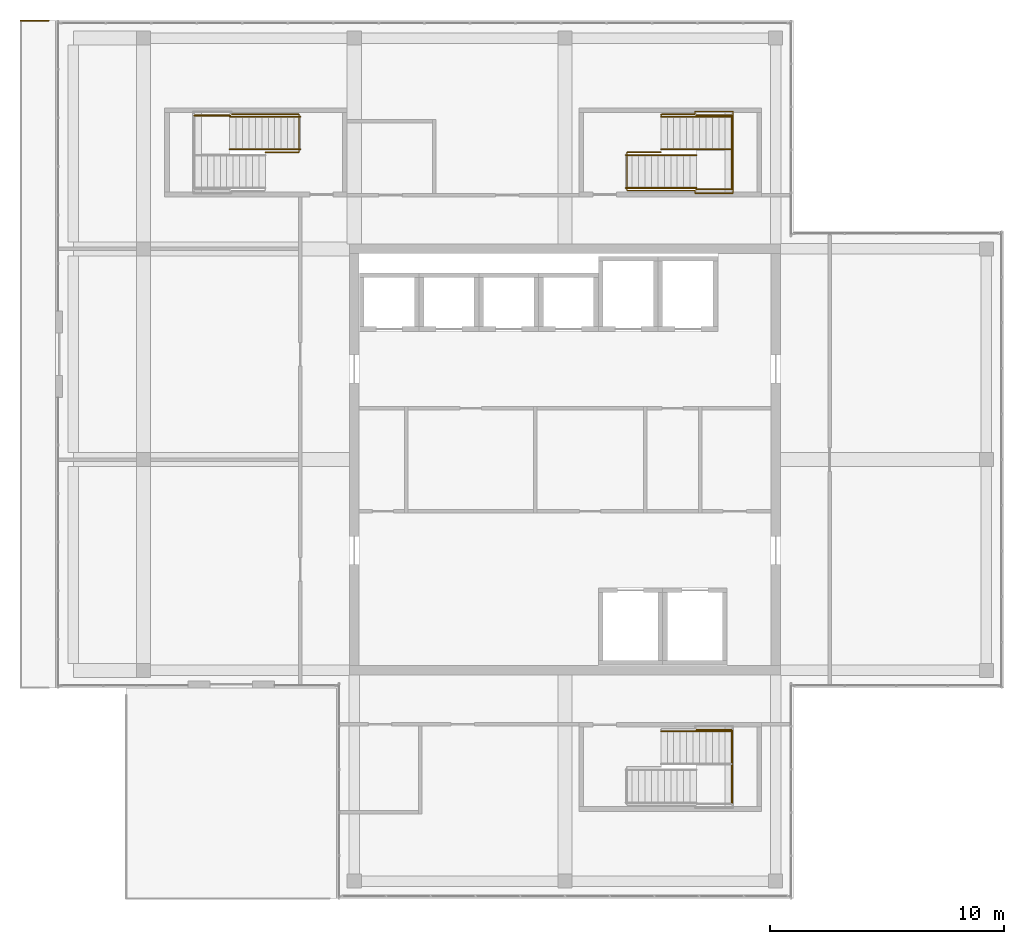
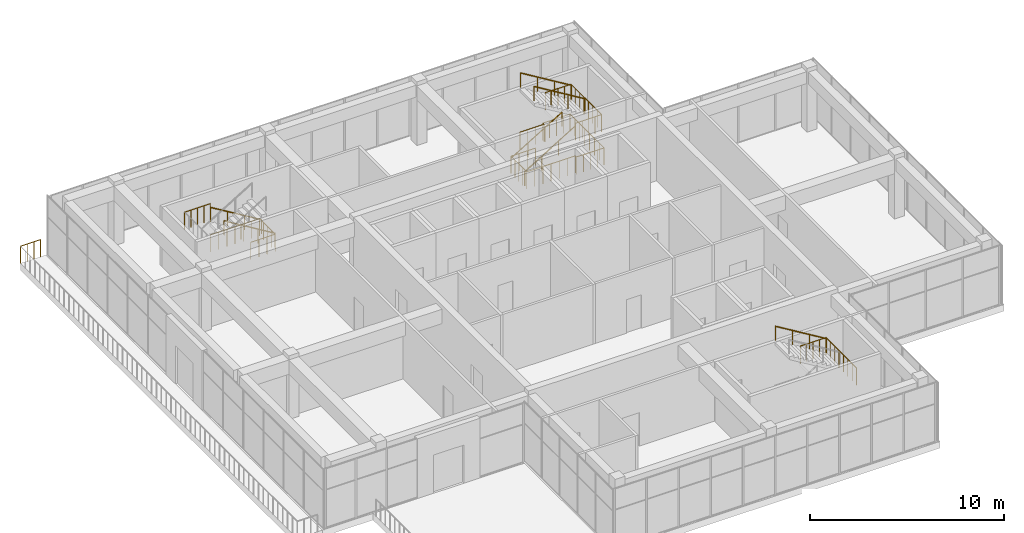
# One storey, part 32 of 32: 17 railings.
"""IFC4 building model written with IfcOpenShell, lengths in metres."""

from ifc_helpers import new_model, si_unit, direction, frame, origin, origin_2d, place, context, subcontext, project, spatial, circle, extrude, material, type_object, element, save


model = new_model("IFC4")

# Units and contexts
model_context = context("Model", 3, precision=1e-05, world=origin(), true_north=direction((0.0, 1.0)))
body_context = subcontext(model_context, "Body", "Model", "MODEL_VIEW")
ifc_project = project(units=[si_unit("LENGTHUNIT", "METRE"), si_unit("AREAUNIT", "SQUARE_METRE"), si_unit("VOLUMEUNIT", "CUBIC_METRE"), si_unit("PLANEANGLEUNIT", "RADIAN"), si_unit("MASSUNIT", "GRAM", prefix="KILO")], contexts=[model_context])

# Site, building, storey
site_placement = place(None, origin())
site = spatial("IfcSite", under=ifc_project, at=site_placement, CompositionType="ELEMENT")
building_placement = place(site_placement, origin())
building = spatial("IfcBuilding", under=site, at=building_placement, Name="Tuart Plaza Theatre", CompositionType="ELEMENT")
storey_placement = place(building_placement, frame((0.0, 0.0, 41.5)))
storey = spatial("IfcBuildingStorey", under=building, at=storey_placement, Name="L10", CompositionType="ELEMENT", Elevation=41.5)

# Railings
ifc_material_1 = material(Name="Steel Grade C350L0", Category="steel")
railing_type_1 = type_object("IfcRailingType", Name="RAILING Guard 1100", PredefinedType="GUARDRAIL", material=ifc_material_1)
railing_1_placement = place(storey_placement, frame((108.75, 92.75, 0.0)))
element("IfcRailing", 1, at=railing_1_placement, inside=storey, type_object=railing_type_1, Name="GR188", PredefinedType="GUARDRAIL", context=body_context, shape_type="SweptSolid", body=[
    extrude(circle(Radius=0.02490234375, at=origin_2d()), frame((0.0, 0.0, 1.0751953125), z_axis=(1.0, 0.0, 0.0), x_axis=(0.0, 1.0, 0.0)), (0.0, 0.0, 1.0), 1.199951171875),
    extrude(circle(Radius=0.02001953125, at=origin_2d()), origin(), (0.0, 0.0, 1.0), 1.050048828125),
    extrude(circle(Radius=0.02001953125, at=origin_2d()), frame((0.39990234375, 0.0, 0.0)), (0.0, 0.0, 1.0), 1.050048828125),
    extrude(circle(Radius=0.02001953125, at=origin_2d()), frame((0.800048828125, 0.0, 0.0)), (0.0, 0.0, 1.0), 1.050048828125),
    extrude(circle(Radius=0.02001953125, at=origin_2d()), frame((1.199951171875, 0.0, 0.0)), (0.0, 0.0, 1.0), 1.050048828125),
])
railing_2_placement = place(storey_placement, frame((139.1298828125, 59.300048828125, 2.0)))
element("IfcRailing", 2, at=railing_2_placement, inside=storey, type_object=railing_type_1, Name="GR252", PredefinedType="GUARDRAIL", context=body_context, shape_type="SweptSolid", body=[
    extrude(circle(Radius=0.02490234375, at=origin_2d()), frame((0.0, 0.0, 1.0751953125), z_axis=(0.0, 1.0, 0.0), x_axis=(-1.0, 0.0, 0.0)), (0.0, 0.0, 1.0), 3.14990234375),
    extrude(circle(Radius=0.02001953125, at=origin_2d()), origin(), (0.0, 0.0, 1.0), 1.050048828125),
    extrude(circle(Radius=0.02001953125, at=origin_2d()), frame((0.0, 0.449951171875, 0.0)), (0.0, 0.0, 1.0), 1.050048828125),
    extrude(circle(Radius=0.02001953125, at=origin_2d()), frame((0.0, 0.89990234375, 0.0)), (0.0, 0.0, 1.0), 1.050048828125),
    extrude(circle(Radius=0.02001953125, at=origin_2d()), frame((0.0, 1.349853515625, 0.0)), (0.0, 0.0, 1.0), 1.050048828125),
    extrude(circle(Radius=0.02001953125, at=origin_2d()), frame((0.0, 1.800048828125, 0.0)), (0.0, 0.0, 1.0), 1.050048828125),
    extrude(circle(Radius=0.02001953125, at=origin_2d()), frame((0.0, 2.25, 0.0)), (0.0, 0.0, 1.0), 1.050048828125),
    extrude(circle(Radius=0.02001953125, at=origin_2d()), frame((0.0, 2.699951171875, 0.0)), (0.0, 0.0, 1.0), 1.050048828125),
    extrude(circle(Radius=0.02001953125, at=origin_2d()), frame((0.0, 3.14990234375, 0.0)), (0.0, 0.0, 1.0), 1.050048828125),
])
railing_3_placement = place(storey_placement, frame((139.1298828125, 62.449951171875, 2.0)))
element("IfcRailing", 3, at=railing_3_placement, inside=storey, type_object=railing_type_1, Name="GR253", PredefinedType="GUARDRAIL", context=body_context, shape_type="SweptSolid", body=[
    extrude(circle(Radius=0.02490234375, at=origin_2d()), frame((0.0, 0.0, 1.0751953125), z_axis=(-1.0, 0.0, 0.0), x_axis=(0.0, -1.0, 0.0)), (0.0, 0.0, 1.0), 1.52978515625),
    extrude(circle(Radius=0.02001953125, at=origin_2d()), origin(), (0.0, 0.0, 1.0), 1.050048828125),
    extrude(circle(Radius=0.02001953125, at=origin_2d()), frame((-0.38232421875, 0.0, 0.0)), (0.0, 0.0, 1.0), 1.050048828125),
    extrude(circle(Radius=0.02001953125, at=origin_2d()), frame((-0.764892578125, 0.0, 0.0)), (0.0, 0.0, 1.0), 1.050048828125),
    extrude(circle(Radius=0.02001953125, at=origin_2d()), frame((-1.1474609375, 0.0, 0.0)), (0.0, 0.0, 1.0), 1.050048828125),
    extrude(circle(Radius=0.02001953125, at=origin_2d()), frame((-1.52978515625, 0.0, 0.0)), (0.0, 0.0, 1.0), 1.050048828125),
])
railing_4_placement = place(storey_placement, frame((134.655029296875, 85.5, 0.0)))
element("IfcRailing", 4, at=railing_4_placement, inside=storey, type_object=railing_type_1, Name="GR323", PredefinedType="GUARDRAIL", context=body_context, shape_type="SweptSolid", body=[
    extrude(circle(Radius=0.02490234375, at=origin_2d()), frame((0.0, 0.0, 1.0751953125), z_axis=(0.0, 1.0, 0.0), x_axis=(-1.0, 0.0, 0.0)), (0.0, 0.0, 1.0), 1.625),
    extrude(circle(Radius=0.02490234375, at=origin_2d()), frame((0.0, 1.625, 1.0751953125), z_axis=(1.0, 0.0, 0.0), x_axis=(0.0, 1.0, 0.0)), (0.0, 0.0, 1.0), 1.455078125),
    extrude(circle(Radius=0.02001953125, at=origin_2d()), origin(), (0.0, 0.0, 1.0), 1.050048828125),
    extrude(circle(Radius=0.02001953125, at=origin_2d()), frame((0.0, 0.40625, 0.0)), (0.0, 0.0, 1.0), 1.050048828125),
    extrude(circle(Radius=0.02001953125, at=origin_2d()), frame((0.0, 0.8125, 0.0)), (0.0, 0.0, 1.0), 1.050048828125),
    extrude(circle(Radius=0.02001953125, at=origin_2d()), frame((0.0, 1.21875, 0.0)), (0.0, 0.0, 1.0), 1.050048828125),
    extrude(circle(Radius=0.02001953125, at=origin_2d()), frame((0.0, 1.625, 0.0)), (0.0, 0.0, 1.0), 1.050048828125),
    extrude(circle(Radius=0.02001953125, at=origin_2d()), frame((0.485107421875, 1.625, 0.0)), (0.0, 0.0, 1.0), 1.050048828125),
    extrude(circle(Radius=0.02001953125, at=origin_2d()), frame((0.969970703125, 1.625, 0.0)), (0.0, 0.0, 1.0), 1.050048828125),
    extrude(circle(Radius=0.02001953125, at=origin_2d()), frame((1.455078125, 1.625, 0.0)), (0.0, 0.0, 1.0), 1.050048828125),
])
railing_5_placement = place(storey_placement, frame((136.114990234375, 88.705078125, 0.0)))
element("IfcRailing", 5, at=railing_5_placement, inside=storey, type_object=railing_type_1, Name="GR324", PredefinedType="GUARDRAIL", context=body_context, shape_type="SweptSolid", body=[
    extrude(circle(Radius=0.02490234375, at=origin_2d()), frame((0.0, 0.0, 1.0751953125), z_axis=(0.0, 1.0, 0.0), x_axis=(-1.0, 0.0, 0.0)), (0.0, 0.0, 1.0), 0.044921875),
    extrude(circle(Radius=0.02490234375, at=origin_2d()), frame((0.0, 0.044921875, 1.0751953125), z_axis=(1.0, 0.0, 0.0), x_axis=(0.0, 1.0, 0.0)), (0.0, 0.0, 1.0), 1.43505859375),
    extrude(circle(Radius=0.02490234375, at=origin_2d()), frame((1.43505859375, 0.044921875, 1.0751953125), z_axis=(0.0, 1.0, 0.0), x_axis=(-1.0, 0.0, 0.0)), (0.0, 0.0, 1.0), 0.123046875),
    extrude(circle(Radius=0.02490234375, at=origin_2d()), frame((1.43505859375, 0.16796875, 1.0751953125), z_axis=(1.0, 0.0, 0.0), x_axis=(0.0, 1.0, 0.0)), (0.0, 0.0, 1.0), 1.6298828125),
    extrude(circle(Radius=0.02490234375, at=origin_2d()), frame((3.06494140625, 0.16796875, 1.0751953125), z_axis=(0.0, -1.0, 0.0), x_axis=(1.0, 0.0, 0.0)), (0.0, 0.0, 1.0), 3.49609375),
    extrude(circle(Radius=0.02490234375, at=origin_2d()), frame((3.06494140625, -3.328125, 1.0751953125), z_axis=(-1.0, 0.0, 0.0), x_axis=(0.0, -1.0, 0.0)), (0.0, 0.0, 1.0), 1.6298828125),
    extrude(circle(Radius=0.02490234375, at=origin_2d()), frame((1.43505859375, -3.328125, 1.0751953125), z_axis=(0.0, 1.0, 0.0), x_axis=(-1.0, 0.0, 0.0)), (0.0, 0.0, 1.0), 0.123046875),
    extrude(circle(Radius=0.02490234375, at=origin_2d()), frame((1.43505859375, -3.205078125, 1.0751953125), z_axis=(-1.0, 0.0, 0.0), x_axis=(0.0, -1.0, 0.0)), (0.0, 0.0, 1.0), 2.89501953125),
    extrude(circle(Radius=0.02001953125, at=origin_2d()), origin(), (0.0, 0.0, 1.0), 1.050048828125),
    extrude(circle(Radius=0.02001953125, at=origin_2d()), frame((0.0, 0.044921875, 0.0)), (0.0, 0.0, 1.0), 1.050048828125),
    extrude(circle(Radius=0.02001953125, at=origin_2d()), frame((0.478271484375, 0.044921875, 0.0)), (0.0, 0.0, 1.0), 1.050048828125),
    extrude(circle(Radius=0.02001953125, at=origin_2d()), frame((0.956787109375, 0.044921875, 0.0)), (0.0, 0.0, 1.0), 1.050048828125),
    extrude(circle(Radius=0.02001953125, at=origin_2d()), frame((1.43505859375, 0.044921875, 0.0)), (0.0, 0.0, 1.0), 1.050048828125),
    extrude(circle(Radius=0.02001953125, at=origin_2d()), frame((1.43505859375, 0.16796875, 0.0)), (0.0, 0.0, 1.0), 1.050048828125),
    extrude(circle(Radius=0.02001953125, at=origin_2d()), frame((1.842529296875, 0.16796875, 0.0)), (0.0, 0.0, 1.0), 1.050048828125),
    extrude(circle(Radius=0.02001953125, at=origin_2d()), frame((2.25, 0.16796875, 0.0)), (0.0, 0.0, 1.0), 1.050048828125),
    extrude(circle(Radius=0.02001953125, at=origin_2d()), frame((2.657470703125, 0.16796875, 0.0)), (0.0, 0.0, 1.0), 1.050048828125),
    extrude(circle(Radius=0.02001953125, at=origin_2d()), frame((3.06494140625, 0.16796875, 0.0)), (0.0, 0.0, 1.0), 1.050048828125),
    extrude(circle(Radius=0.02001953125, at=origin_2d()), frame((3.06494140625, -0.33154296875, 0.0)), (0.0, 0.0, 1.0), 1.050048828125),
    extrude(circle(Radius=0.02001953125, at=origin_2d()), frame((3.06494140625, -0.830810546875, 0.0)), (0.0, 0.0, 1.0), 1.050048828125),
    extrude(circle(Radius=0.02001953125, at=origin_2d()), frame((3.06494140625, -1.330322265625, 0.0)), (0.0, 0.0, 1.0), 1.050048828125),
    extrude(circle(Radius=0.02001953125, at=origin_2d()), frame((3.06494140625, -1.829833984375, 0.0)), (0.0, 0.0, 1.0), 1.050048828125),
    extrude(circle(Radius=0.02001953125, at=origin_2d()), frame((3.06494140625, -2.329345703125, 0.0)), (0.0, 0.0, 1.0), 1.050048828125),
    extrude(circle(Radius=0.02001953125, at=origin_2d()), frame((3.06494140625, -2.82861328125, 0.0)), (0.0, 0.0, 1.0), 1.050048828125),
    extrude(circle(Radius=0.02001953125, at=origin_2d()), frame((3.06494140625, -3.328125, 0.0)), (0.0, 0.0, 1.0), 1.050048828125),
    extrude(circle(Radius=0.02001953125, at=origin_2d()), frame((2.657470703125, -3.328125, 0.0)), (0.0, 0.0, 1.0), 1.050048828125),
    extrude(circle(Radius=0.02001953125, at=origin_2d()), frame((2.25, -3.328125, 0.0)), (0.0, 0.0, 1.0), 1.050048828125),
    extrude(circle(Radius=0.02001953125, at=origin_2d()), frame((1.842529296875, -3.328125, 0.0)), (0.0, 0.0, 1.0), 1.050048828125),
    extrude(circle(Radius=0.02001953125, at=origin_2d()), frame((1.43505859375, -3.328125, 0.0)), (0.0, 0.0, 1.0), 1.050048828125),
    extrude(circle(Radius=0.02001953125, at=origin_2d()), frame((1.43505859375, -3.205078125, 0.0)), (0.0, 0.0, 1.0), 1.050048828125),
    extrude(circle(Radius=0.02001953125, at=origin_2d()), frame((0.95263671875, -3.205078125, 0.0)), (0.0, 0.0, 1.0), 1.050048828125),
    extrude(circle(Radius=0.02001953125, at=origin_2d()), frame((0.469970703125, -3.205078125, 0.0)), (0.0, 0.0, 1.0), 1.050048828125),
    extrude(circle(Radius=0.02001953125, at=origin_2d()), frame((-0.012451171875, -3.205078125, 0.0)), (0.0, 0.0, 1.0), 1.050048828125),
    extrude(circle(Radius=0.02001953125, at=origin_2d()), frame((-0.494873046875, -3.205078125, 0.0)), (0.0, 0.0, 1.0), 1.050048828125),
    extrude(circle(Radius=0.02001953125, at=origin_2d()), frame((-0.9775390625, -3.205078125, 0.0)), (0.0, 0.0, 1.0), 1.050048828125),
    extrude(circle(Radius=0.02001953125, at=origin_2d()), frame((-1.4599609375, -3.205078125, 0.0)), (0.0, 0.0, 1.0), 1.050048828125),
])
railing_6_placement = place(storey_placement, frame((137.60009765625, 85.550048828125, 2.0)))
element("IfcRailing", 6, at=railing_6_placement, inside=storey, type_object=railing_type_1, Name="GR330", PredefinedType="GUARDRAIL", context=body_context, shape_type="SweptSolid", body=[
    extrude(circle(Radius=0.02490234375, at=origin_2d()), frame((0.0, 0.0, 1.0751953125), z_axis=(1.0, 0.0, 0.0), x_axis=(0.0, 1.0, 0.0)), (0.0, 0.0, 1.0), 1.52978515625),
    extrude(circle(Radius=0.02001953125, at=origin_2d()), origin(), (0.0, 0.0, 1.0), 1.050048828125),
    extrude(circle(Radius=0.02001953125, at=origin_2d()), frame((0.38232421875, 0.0, 0.0)), (0.0, 0.0, 1.0), 1.050048828125),
    extrude(circle(Radius=0.02001953125, at=origin_2d()), frame((0.764892578125, 0.0, 0.0)), (0.0, 0.0, 1.0), 1.050048828125),
    extrude(circle(Radius=0.02001953125, at=origin_2d()), frame((1.1474609375, 0.0, 0.0)), (0.0, 0.0, 1.0), 1.050048828125),
    extrude(circle(Radius=0.02001953125, at=origin_2d()), frame((1.52978515625, 0.0, 0.0)), (0.0, 0.0, 1.0), 1.050048828125),
])
railing_7_placement = place(storey_placement, frame((139.1298828125, 85.550048828125, 2.0)))
element("IfcRailing", 7, at=railing_7_placement, inside=storey, type_object=railing_type_1, Name="GR331", PredefinedType="GUARDRAIL", context=body_context, shape_type="SweptSolid", body=[
    extrude(circle(Radius=0.02490234375, at=origin_2d()), frame((0.0, 0.0, 1.0751953125), z_axis=(0.0, 1.0, 0.0), x_axis=(-1.0, 0.0, 0.0)), (0.0, 0.0, 1.0), 3.14990234375),
    extrude(circle(Radius=0.02001953125, at=origin_2d()), origin(), (0.0, 0.0, 1.0), 1.050048828125),
    extrude(circle(Radius=0.02001953125, at=origin_2d()), frame((0.0, 0.449951171875, 0.0)), (0.0, 0.0, 1.0), 1.050048828125),
    extrude(circle(Radius=0.02001953125, at=origin_2d()), frame((0.0, 0.89990234375, 0.0)), (0.0, 0.0, 1.0), 1.050048828125),
    extrude(circle(Radius=0.02001953125, at=origin_2d()), frame((0.0, 1.349853515625, 0.0)), (0.0, 0.0, 1.0), 1.050048828125),
    extrude(circle(Radius=0.02001953125, at=origin_2d()), frame((0.0, 1.800048828125, 0.0)), (0.0, 0.0, 1.0), 1.050048828125),
    extrude(circle(Radius=0.02001953125, at=origin_2d()), frame((0.0, 2.25, 0.0)), (0.0, 0.0, 1.0), 1.050048828125),
    extrude(circle(Radius=0.02001953125, at=origin_2d()), frame((0.0, 2.699951171875, 0.0)), (0.0, 0.0, 1.0), 1.050048828125),
    extrude(circle(Radius=0.02001953125, at=origin_2d()), frame((0.0, 3.14990234375, 0.0)), (0.0, 0.0, 1.0), 1.050048828125),
])
railing_8_placement = place(storey_placement, frame((139.1298828125, 88.699951171875, 2.0)))
element("IfcRailing", 8, at=railing_8_placement, inside=storey, type_object=railing_type_1, Name="GR332", PredefinedType="GUARDRAIL", context=body_context, shape_type="SweptSolid", body=[
    extrude(circle(Radius=0.02490234375, at=origin_2d()), frame((0.0, 0.0, 1.0751953125), z_axis=(-1.0, 0.0, 0.0), x_axis=(0.0, -1.0, 0.0)), (0.0, 0.0, 1.0), 1.52978515625),
    extrude(circle(Radius=0.02001953125, at=origin_2d()), origin(), (0.0, 0.0, 1.0), 1.050048828125),
    extrude(circle(Radius=0.02001953125, at=origin_2d()), frame((-0.38232421875, 0.0, 0.0)), (0.0, 0.0, 1.0), 1.050048828125),
    extrude(circle(Radius=0.02001953125, at=origin_2d()), frame((-0.764892578125, 0.0, 0.0)), (0.0, 0.0, 1.0), 1.050048828125),
    extrude(circle(Radius=0.02001953125, at=origin_2d()), frame((-1.1474609375, 0.0, 0.0)), (0.0, 0.0, 1.0), 1.050048828125),
    extrude(circle(Radius=0.02001953125, at=origin_2d()), frame((-1.52978515625, 0.0, 0.0)), (0.0, 0.0, 1.0), 1.050048828125),
])
railing_9_placement = place(storey_placement, frame((117.75, 88.75, 0.0)))
element("IfcRailing", 9, at=railing_9_placement, inside=storey, type_object=railing_type_1, Name="GR402", PredefinedType="GUARDRAIL", context=body_context, shape_type="SweptSolid", body=[
    extrude(circle(Radius=0.02490234375, at=origin_2d()), frame((0.0, 0.0, 1.0751953125), z_axis=(1.0, 0.0, 0.0), x_axis=(0.0, 1.0, 0.0)), (0.0, 0.0, 1.0), 2.89501953125),
    extrude(circle(Radius=0.02490234375, at=origin_2d()), frame((2.89501953125, 0.0, 1.0751953125), z_axis=(0.0, -1.0, 0.0), x_axis=(1.0, 0.0, 0.0)), (0.0, 0.0, 1.0), 1.625),
    extrude(circle(Radius=0.02490234375, at=origin_2d()), frame((2.89501953125, -1.625, 1.0751953125), z_axis=(-1.0, 0.0, 0.0), x_axis=(0.0, -1.0, 0.0)), (0.0, 0.0, 1.0), 1.455078125),
    extrude(circle(Radius=0.02001953125, at=origin_2d()), origin(), (0.0, 0.0, 1.0), 1.050048828125),
    extrude(circle(Radius=0.02001953125, at=origin_2d()), frame((0.482421875, 0.0, 0.0)), (0.0, 0.0, 1.0), 1.050048828125),
    extrude(circle(Radius=0.02001953125, at=origin_2d()), frame((0.965087890625, 0.0, 0.0)), (0.0, 0.0, 1.0), 1.050048828125),
    extrude(circle(Radius=0.02001953125, at=origin_2d()), frame((1.447509765625, 0.0, 0.0)), (0.0, 0.0, 1.0), 1.050048828125),
    extrude(circle(Radius=0.02001953125, at=origin_2d()), frame((1.929931640625, 0.0, 0.0)), (0.0, 0.0, 1.0), 1.050048828125),
    extrude(circle(Radius=0.02001953125, at=origin_2d()), frame((2.41259765625, 0.0, 0.0)), (0.0, 0.0, 1.0), 1.050048828125),
    extrude(circle(Radius=0.02001953125, at=origin_2d()), frame((2.89501953125, 0.0, 0.0)), (0.0, 0.0, 1.0), 1.050048828125),
    extrude(circle(Radius=0.02001953125, at=origin_2d()), frame((2.89501953125, -0.40625, 0.0)), (0.0, 0.0, 1.0), 1.050048828125),
    extrude(circle(Radius=0.02001953125, at=origin_2d()), frame((2.89501953125, -0.8125, 0.0)), (0.0, 0.0, 1.0), 1.050048828125),
    extrude(circle(Radius=0.02001953125, at=origin_2d()), frame((2.89501953125, -1.21875, 0.0)), (0.0, 0.0, 1.0), 1.050048828125),
    extrude(circle(Radius=0.02001953125, at=origin_2d()), frame((2.89501953125, -1.625, 0.0)), (0.0, 0.0, 1.0), 1.050048828125),
    extrude(circle(Radius=0.02001953125, at=origin_2d()), frame((2.409912109375, -1.625, 0.0)), (0.0, 0.0, 1.0), 1.050048828125),
    extrude(circle(Radius=0.02001953125, at=origin_2d()), frame((1.925048828125, -1.625, 0.0)), (0.0, 0.0, 1.0), 1.050048828125),
    extrude(circle(Radius=0.02001953125, at=origin_2d()), frame((1.43994140625, -1.625, 0.0)), (0.0, 0.0, 1.0), 1.050048828125),
])
railing_10_placement = place(storey_placement, frame((117.699951171875, 88.699951171875, 2.0)))
element("IfcRailing", 10, at=railing_10_placement, inside=storey, type_object=railing_type_1, Name="GR409", PredefinedType="GUARDRAIL", context=body_context, shape_type="SweptSolid", body=[
    extrude(circle(Radius=0.02490234375, at=origin_2d()), frame((0.0, 0.0, 1.0751953125), z_axis=(-1.0, 0.0, 0.0), x_axis=(0.0, -1.0, 0.0)), (0.0, 0.0, 1.0), 1.530029296875),
    extrude(circle(Radius=0.02001953125, at=origin_2d()), origin(), (0.0, 0.0, 1.0), 1.050048828125),
    extrude(circle(Radius=0.02001953125, at=origin_2d()), frame((-0.382568359375, 0.0, 0.0)), (0.0, 0.0, 1.0), 1.050048828125),
    extrude(circle(Radius=0.02001953125, at=origin_2d()), frame((-0.76513671875, 0.0, 0.0)), (0.0, 0.0, 1.0), 1.050048828125),
    extrude(circle(Radius=0.02001953125, at=origin_2d()), frame((-1.1474609375, 0.0, 0.0)), (0.0, 0.0, 1.0), 1.050048828125),
    extrude(circle(Radius=0.02001953125, at=origin_2d()), frame((-1.530029296875, 0.0, 0.0)), (0.0, 0.0, 1.0), 1.050048828125),
])
ifc_material_2 = material(Name="Steel Grade C350L0", Category="steel")
railing_type_2 = type_object("IfcRailingType", Name="RAILING Handrail 900", PredefinedType="HANDRAIL", material=ifc_material_2)
railing_11_placement = place(storey_placement, frame((139.1201171875, 62.39990234375, 2.166748046875)))
element("IfcRailing", 11, at=railing_11_placement, inside=storey, type_object=railing_type_2, Name="HR158", PredefinedType="HANDRAIL", context=body_context, shape_type="SweptSolid", body=[
    extrude(circle(Radius=0.0224609375, at=origin_2d()), frame((0.0, 0.0, 0.87744140625), z_axis=(-0.855219153138, 0.0, 0.518266533848), x_axis=(0.0, -1.0, 0.0)), (0.0, 0.0, 1.0), 3.537353515625),
    extrude(circle(Radius=0.01513671875, at=origin_2d()), origin(), (0.0, 0.0, 1.0), 0.85498046875),
    extrude(circle(Radius=0.01513671875, at=origin_2d()), frame((-1.00830078125, 0.0, 0.611083984375)), (0.0, 0.0, 1.0), 0.85498046875),
    extrude(circle(Radius=0.01513671875, at=origin_2d()), frame((-2.016845703125, 0.0, 1.22216796875)), (0.0, 0.0, 1.0), 0.85498046875),
    extrude(circle(Radius=0.01513671875, at=origin_2d()), frame((-3.025146484375, 0.0, 1.833251953125)), (0.0, 0.0, 1.0), 0.85498046875),
])
for number, where, name in (
    (12, (134.594970703125, 87.0, 0.166748046875), "HR219"),
    (13, (134.594970703125, 85.60009765625, 0.166748046875), "HR220"),
):
    element("IfcRailing", number, at=place(storey_placement, frame(where)), inside=storey, type_object=railing_type_2, Name=name, PredefinedType="HANDRAIL", context=body_context, shape_type="SweptSolid", body=[
        extrude(circle(Radius=0.0224609375, at=origin_2d()), frame((0.0, 0.0, 0.87744140625), z_axis=(0.855219153138, 0.0, 0.518266533848), x_axis=(0.0, 1.0, 0.0)), (0.0, 0.0, 1.0), 3.537353515625),
        extrude(circle(Radius=0.01513671875, at=origin_2d()), origin(), (0.0, 0.0, 1.0), 0.85498046875),
        extrude(circle(Radius=0.01513671875, at=origin_2d()), frame((1.00830078125, 0.0, 0.611083984375)), (0.0, 0.0, 1.0), 0.85498046875),
        extrude(circle(Radius=0.01513671875, at=origin_2d()), frame((2.016845703125, 0.0, 1.22216796875)), (0.0, 0.0, 1.0), 0.85498046875),
        extrude(circle(Radius=0.01513671875, at=origin_2d()), frame((3.025146484375, 0.0, 1.833251953125)), (0.0, 0.0, 1.0), 0.85498046875),
    ])
for number, where, name in (
    (14, (139.1201171875, 87.25, 2.166748046875), "HR221"),
    (15, (139.1201171875, 88.64990234375, 2.166748046875), "HR222"),
    (16, (120.705078125, 87.25, 0.166748046875), "HR283"),
    (17, (120.705078125, 88.64990234375, 0.166748046875), "HR284"),
):
    element("IfcRailing", number, at=place(storey_placement, frame(where)), inside=storey, type_object=railing_type_2, Name=name, PredefinedType="HANDRAIL", context=body_context, shape_type="SweptSolid", body=[
        extrude(circle(Radius=0.0224609375, at=origin_2d()), frame((0.0, 0.0, 0.87744140625), z_axis=(-0.855219153138, 0.0, 0.518266533848), x_axis=(0.0, -1.0, 0.0)), (0.0, 0.0, 1.0), 3.537353515625),
        extrude(circle(Radius=0.01513671875, at=origin_2d()), origin(), (0.0, 0.0, 1.0), 0.85498046875),
        extrude(circle(Radius=0.01513671875, at=origin_2d()), frame((-1.00830078125, 0.0, 0.611083984375)), (0.0, 0.0, 1.0), 0.85498046875),
        extrude(circle(Radius=0.01513671875, at=origin_2d()), frame((-2.016845703125, 0.0, 1.22216796875)), (0.0, 0.0, 1.0), 0.85498046875),
        extrude(circle(Radius=0.01513671875, at=origin_2d()), frame((-3.025146484375, 0.0, 1.833251953125)), (0.0, 0.0, 1.0), 0.85498046875),
    ])

save(model, "model.ifc")
